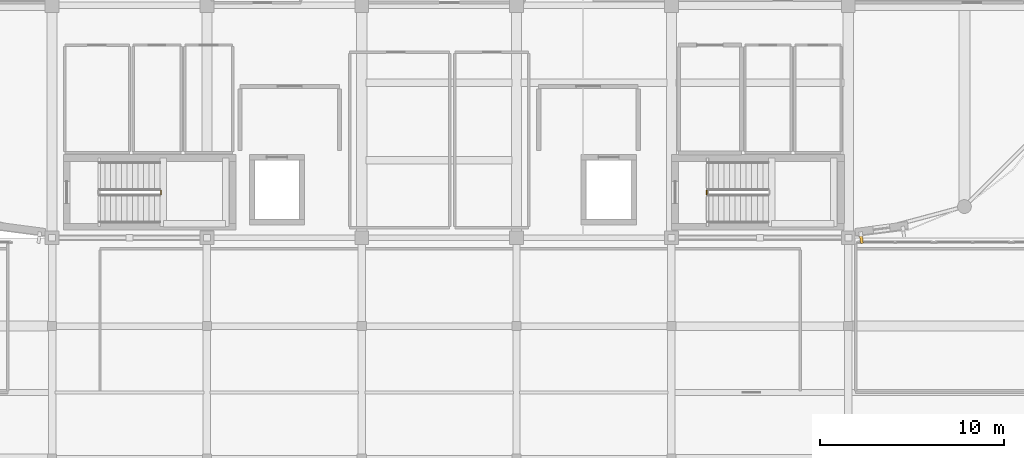
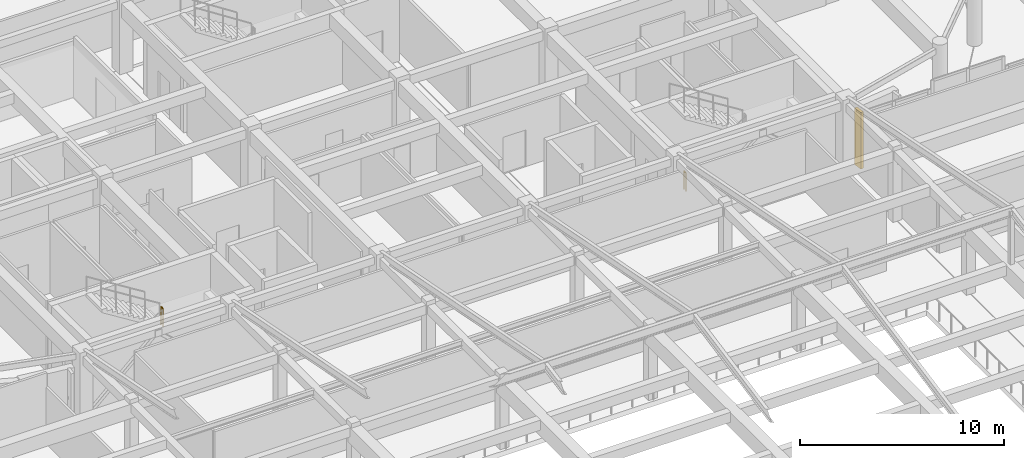
# One storey, part 87 of 91: 2 railings, 1 covering.
"""IFC4 building model written with IfcOpenShell, lengths in metres."""

import ifcopenshell
import ifcopenshell.guid

model = None  # the IFC model being written
_history = None  # IfcOwnerHistory: only IFC2X3 demands one
_inside = {}  # id of a spatial element -> (the spatial element, [elements in it])
_under = {}  # id of a project, library or spatial element -> (it, [spatial elements below it])
_declared = {}  # id of a project -> (the project, [libraries it declares])
_typed = {}  # id of a type object -> (the type object, [elements of that type])
_made_of = {}  # id of a material, layer set ... -> (it, [elements and type objects made of it])


def new_model(schema):
    """Start an empty IFC model of exactly this schema.

    Asked for "IFC4X3", IfcOpenShell would pick the latest addendum, in which some entities
    have other attributes; the version numbers below select the first issue.
    IFC2X3 requires an IfcOwnerHistory on every rooted entity: one is made here for all.
    """
    global model, _history
    if schema == "IFC4X3":
        model = ifcopenshell.file(schema_version=(4, 3, 0, 0))
    else:
        model = ifcopenshell.file(schema=schema)
    _inside.clear()
    _under.clear()
    _declared.clear()
    _typed.clear()
    _made_of.clear()
    _history = None
    if model.schema == "IFC2X3":
        org = make("IfcOrganization", Name="unknown")
        user = make(
            "IfcPersonAndOrganization",
            ThePerson=make("IfcPerson", FamilyName="unknown"),
            TheOrganization=org,
        )
        app = make(
            "IfcApplication",
            ApplicationDeveloper=org,
            Version="unknown",
            ApplicationFullName="unknown",
            ApplicationIdentifier="unknown",
        )
        _history = make(
            "IfcOwnerHistory",
            OwningUser=user,
            OwningApplication=app,
            ChangeAction="ADDED",
            CreationDate=0,
        )
    return model


def make(cls, **values):
    """One entity of the class cls with the attributes given. An attribute that is None is left unset."""
    return model.create_entity(
        cls, **{name: value for name, value in values.items() if value is not None}
    )


def rooted(cls, **values):
    """An entity with a GlobalId (a new one), such as an element, a storey or a relation."""
    return make(cls, GlobalId=ifcopenshell.guid.new(), OwnerHistory=_history, **values)


def si_unit(unit_type, name, prefix=None):
    """IfcSIUnit, for example si_unit("LENGTHUNIT", "METRE", prefix="MILLI")."""
    return make("IfcSIUnit", UnitType=unit_type, Prefix=prefix, Name=name)


def assignment(units):
    """IfcUnitAssignment: the units of a project."""
    return None if units is None else make("IfcUnitAssignment", Units=units)


def point(xyz):
    """IfcCartesianPoint."""
    return None if xyz is None else make("IfcCartesianPoint", Coordinates=xyz)


def direction(xyz):
    """IfcDirection."""
    return None if xyz is None else make("IfcDirection", DirectionRatios=xyz)


def frame(location, z_axis=None, x_axis=None):
    """IfcAxis2Placement3D, a coordinate frame: its origin and axes. An axis left out is left unset."""
    return make(
        "IfcAxis2Placement3D",
        Location=point(location),
        Axis=direction(z_axis),
        RefDirection=direction(x_axis),
    )


def frame_2d(location, x_axis=None):
    """IfcAxis2Placement2D, a coordinate frame in the plane: its origin and x axis."""
    return make(
        "IfcAxis2Placement2D", Location=point(location), RefDirection=direction(x_axis)
    )


def origin():
    """The frame at (0, 0, 0) with its axes left unset."""
    return frame((0.0, 0.0, 0.0))


def origin_2d():
    """The frame at (0, 0) in the plane with its x axis left unset."""
    return frame_2d((0.0, 0.0))


def place(relative_to, where):
    """IfcLocalPlacement: puts the frame where relative to a parent placement (None: the world)."""
    return make(
        "IfcLocalPlacement", PlacementRelTo=relative_to, RelativePlacement=where
    )


def context(
    kind, dimensions, precision=None, world=None, true_north=None, identifier=None
):
    """IfcGeometricRepresentationContext, for example the 3D "Model" context."""
    return make(
        "IfcGeometricRepresentationContext",
        ContextIdentifier=identifier,
        ContextType=kind,
        CoordinateSpaceDimension=dimensions,
        Precision=precision,
        WorldCoordinateSystem=world,
        TrueNorth=true_north,
    )


def subcontext(parent, identifier, kind, view, scale=None):
    """IfcGeometricRepresentationSubContext, for example "Body" below "Model"."""
    return make(
        "IfcGeometricRepresentationSubContext",
        ContextIdentifier=identifier,
        ContextType=kind,
        ParentContext=parent,
        TargetScale=scale,
        TargetView=view,
    )


def project(units=None, contexts=None):
    """IfcProject with its units and contexts."""
    return rooted(
        "IfcProject",
        Name="project",
        RepresentationContexts=contexts,
        UnitsInContext=assignment(units),
    )


def spatial(cls, under=None, at=None, **own):
    """A site, building, storey or space (cls), placed at a placement, below another one or the project."""
    s = rooted(cls, ObjectPlacement=at, **own)
    if under is not None:
        _under.setdefault(under.id(), (under, []))[1].append(s)
    return s


def profile(cls, at=None, kind="AREA", **sizes):
    """A parametric profile (cls). Its sizes go by their IFC names, for example OverallWidth=200.0."""
    return make(cls, ProfileType=kind, Position=at, **sizes)


def rectangle(**sizes):
    """IfcRectangleProfileDef."""
    return profile("IfcRectangleProfileDef", **sizes)


def circle(**sizes):
    """IfcCircleProfileDef."""
    return profile("IfcCircleProfileDef", **sizes)


def extrude(swept, where, along, depth):
    """IfcExtrudedAreaSolid: the profile swept, set in the frame where, extruded along a direction by depth."""
    return make(
        "IfcExtrudedAreaSolid",
        SweptArea=swept,
        Position=where,
        ExtrudedDirection=direction(along),
        Depth=depth,
    )


def shape(context_of_items, identifier, shape_type, items):
    """IfcShapeRepresentation: the items that make up one representation, for example the "Body"."""
    return make(
        "IfcShapeRepresentation",
        ContextOfItems=context_of_items,
        RepresentationIdentifier=identifier,
        RepresentationType=shape_type,
        Items=items,
    )


def material(Name=None, Category=None):
    """IfcMaterial."""
    return make("IfcMaterial", Name=Name, Category=Category)


def layer(
    of_material, thickness, ventilated=None, Name=None, Category=None, Priority=None
):
    """IfcMaterialLayer: one layer of a wall or slab, of a material (None: an air gap)."""
    return make(
        "IfcMaterialLayer",
        Material=of_material,
        LayerThickness=thickness,
        IsVentilated=ventilated,
        Name=Name,
        Category=Category,
        Priority=Priority,
    )


def layer_set(layers, Name=None):
    """IfcMaterialLayerSet."""
    return make("IfcMaterialLayerSet", MaterialLayers=layers, LayerSetName=Name)


def made_of(thing, what):
    """Note that an element or type object is made of a material, layer set ...; save() writes the relation."""
    if what is not None:
        _made_of.setdefault(what.id(), (what, []))[1].append(thing)
    return thing


def type_object(cls, material=None, **own):
    """A type object (cls), such as IfcWallType, which elements share."""
    return made_of(rooted(cls, **own), material)


def element(
    cls,
    number,
    at=None,
    inside=None,
    cuts=None,
    type_object=None,
    material=None,
    context=None,
    identifier="Body",
    shape_type=None,
    held_by="IfcProductDefinitionShape",
    body=None,
    shapes=None,
    **own,
):
    """One element of the class cls, such as IfcWall. Its Tag is "e" and its number.

    at: its placement. inside: the storey or other place that contains it. cuts: it is an
    opening in that element (IfcRelVoidsElement). A single representation is given by context,
    identifier, shape_type and body (its items); several are given by shapes. held_by: the class
    of the entity that holds the representations. save() writes the other relations.
    """
    e = rooted(cls, Tag="e%d" % number, ObjectPlacement=at, **own)
    if body is not None:
        shapes = [shape(context, identifier, shape_type, body)]
    if shapes is not None:
        e.Representation = make(held_by, Representations=shapes)
    if inside is not None:
        _inside.setdefault(inside.id(), (inside, []))[1].append(e)
    if cuts is not None:
        rooted(
            "IfcRelVoidsElement", RelatingBuildingElement=cuts, RelatedOpeningElement=e
        )
    if type_object is not None:
        _typed.setdefault(type_object.id(), (type_object, []))[1].append(e)
    return made_of(e, material)


def aggregate(whole, parts):
    """IfcRelAggregates: a whole, such as a stair, and the parts it consists of."""
    return rooted("IfcRelAggregates", RelatingObject=whole, RelatedObjects=parts)


def save(model, path):
    """Write the relations noted so far, then the file.

    IfcRelAggregates (storeys below a building ...), IfcRelContainedInSpatialStructure (elements
    in a storey), IfcRelDefinesByType, IfcRelAssociatesMaterial and IfcRelDeclares: one each for
    every whole, place, type object, material and project.
    """
    for whole, parts in _under.values():
        aggregate(whole, parts)
    for where, things in _inside.values():
        rooted(
            "IfcRelContainedInSpatialStructure",
            RelatedElements=things,
            RelatingStructure=where,
        )
    for kind, things in _typed.values():
        rooted("IfcRelDefinesByType", RelatedObjects=things, RelatingType=kind)
    for what, things in _made_of.values():
        rooted("IfcRelAssociatesMaterial", RelatedObjects=things, RelatingMaterial=what)
    for by, libraries in _declared.values():
        rooted("IfcRelDeclares", RelatingContext=by, RelatedDefinitions=libraries)
    model.write(path)


model = new_model("IFC4")

# Units and contexts
model_context = context("Model", 3, precision=1e-05, world=origin(), true_north=direction((0.0, 1.0)))
body_context = subcontext(model_context, "Body", "Model", "MODEL_VIEW")
ifc_project = project(units=[si_unit("LENGTHUNIT", "METRE"), si_unit("AREAUNIT", "SQUARE_METRE"), si_unit("VOLUMEUNIT", "CUBIC_METRE"), si_unit("PLANEANGLEUNIT", "RADIAN"), si_unit("MASSUNIT", "GRAM", prefix="KILO")], contexts=[model_context])

# Site, building, storey
site_placement = place(None, origin())
site = spatial("IfcSite", under=ifc_project, at=site_placement, CompositionType="ELEMENT")
building_placement = place(site_placement, origin())
building = spatial("IfcBuilding", under=site, at=building_placement, Name="Tarnavel Promenade Courthouse", CompositionType="ELEMENT")
storey_placement = place(building_placement, frame((0.0, 0.0, 9.89990234375)))
storey = spatial("IfcBuildingStorey", under=building, at=storey_placement, Name="L03", CompositionType="ELEMENT", Elevation=9.89990234375)

# Railings
ifc_material_1 = material(Name="Painted Architectural Steel Core Stair Guardrail", Category="steel")
railing_type = type_object("IfcRailingType", Name="Painted Architectural Steel Core Stair Guardrail (RL-GRD-1100)", PredefinedType="GUARDRAIL", material=ifc_material_1)
for number, where, name in (
    (1, (64.7099609375, 81.56005859375, 2.25), "L03 ST-01 stair guard 2"),
    (2, (94.31005859375, 81.56005859375, 0.0), "L03 ST-02 stair guard 4"),
):
    element("IfcRailing", number, at=place(storey_placement, frame(where)), inside=storey, type_object=railing_type, Name=name, PredefinedType="GUARDRAIL", context=body_context, shape_type="SweptSolid", body=[
        extrude(circle(Radius=0.02392578125, at=origin_2d()), frame((0.0, 0.0, 1.076171875), z_axis=(0.0, 1.0, 0.0), x_axis=(-1.0, 0.0, 0.0)), (0.0, 0.0, 1.0), 0.199951171875),
        extrude(circle(Radius=0.02099609375, at=origin_2d()), origin(), (0.0, 0.0, 1.0), 1.052001953125),
        extrude(circle(Radius=0.02099609375, at=origin_2d()), frame((0.0, 0.199951171875, 0.0)), (0.0, 0.0, 1.0), 1.052001953125),
    ])

# Covering
ifc_material_2 = material(Name="Patinated Copper-Bronze Fluted Pier Cladding")
ifc_layer = layer(ifc_material_2, 0.52001953125)
ifc_layer_set = layer_set([ifc_layer], Name="Patinated Copper-Bronze Fluted Pier Cladding")
covering_type = type_object("IfcCoveringType", Name="Patinated Copper-Bronze Fluted Pier Cladding COV-PIER-520 (520 mm)", PredefinedType="CLADDING", material=ifc_layer_set)
covering_placement = place(storey_placement, frame((102.707275390625, 79.15185546875, 0.000244140625), z_axis=(0.0, 0.0, 1.0), x_axis=(0.991444861374, 0.13052619222, 0.0)))
element("IfcCovering", 3, at=covering_placement, inside=storey, type_object=covering_type, Name="L03 E Drum Fluted Copper Pier 0081", PredefinedType="CLADDING", context=body_context, shape_type="SweptSolid", body=[
    extrude(rectangle(XDim=0.159912109375, YDim=0.52001953125, at=origin_2d()), origin(), (0.0, 0.0, 1.0), 3.3798828125),
])

save(model, "model.ifc")
